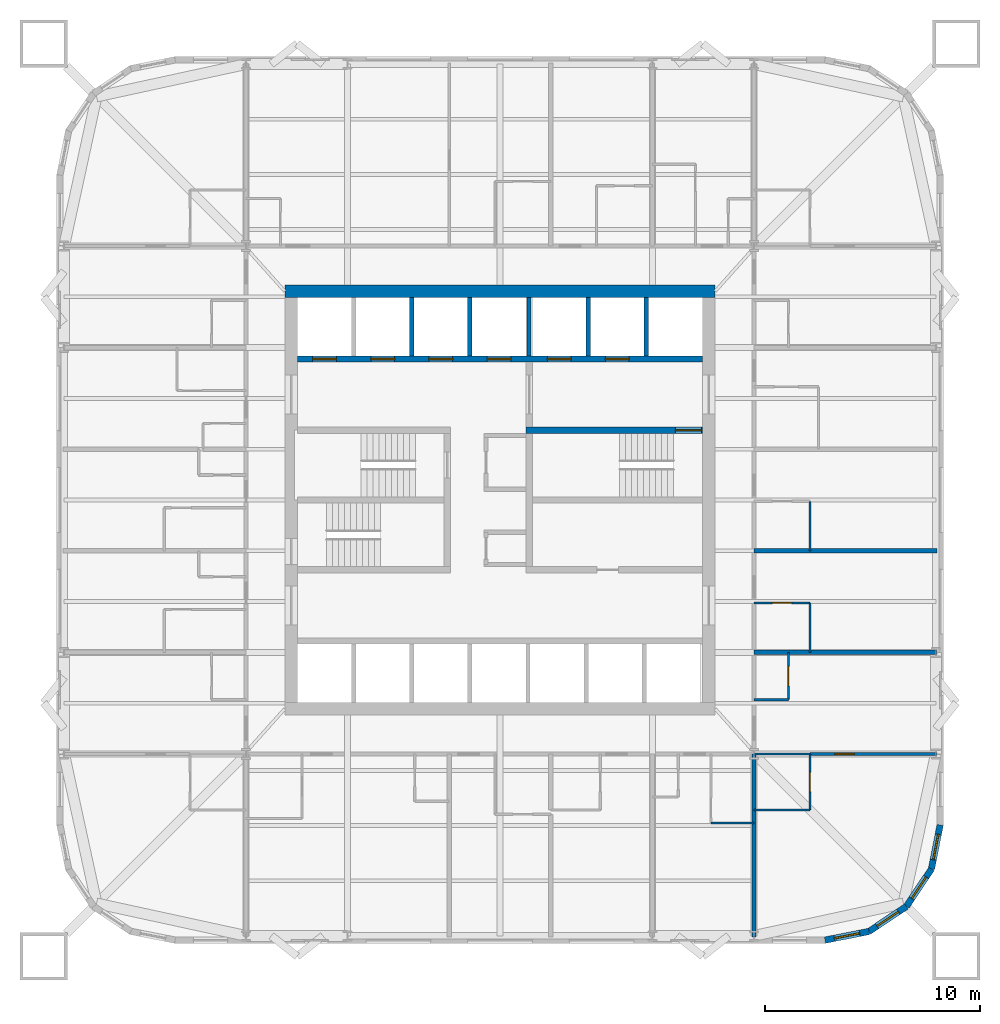
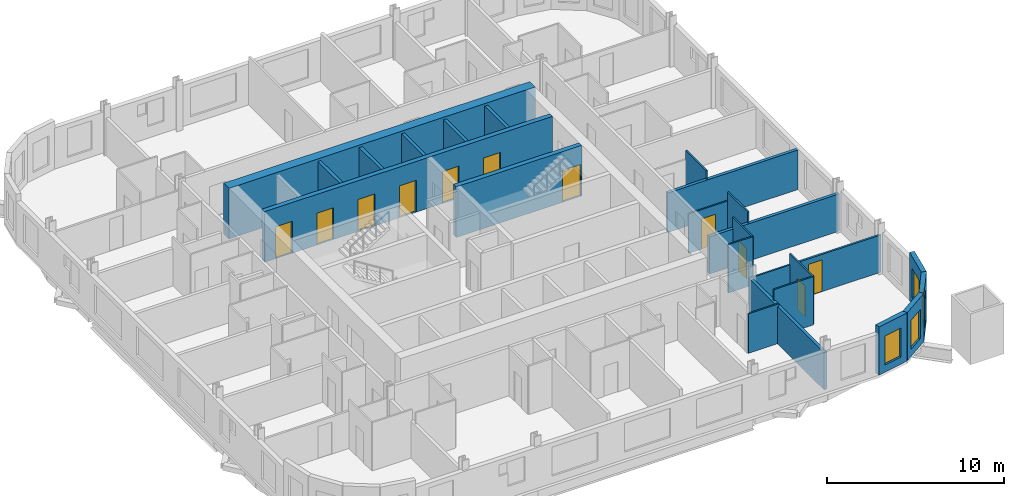
# One storey, part 6 of 10: 25 walls, 11 doors, 4 windows, 15 openings.
"""IFC4 building model written with IfcOpenShell, lengths in metres."""

from ifc_helpers import new_model, si_unit, direction, frame, frame_2d, origin, place, context, subcontext, project, spatial, rectangle, extrude, material, layer, layer_set, type_object, element, fill, save


model = new_model("IFC4")

# Units and contexts
model_context = context("Model", 3, precision=1e-05, world=origin(), true_north=direction((0.0, 1.0)))
body_context = subcontext(model_context, "Body", "Model", "MODEL_VIEW")
ifc_project = project(units=[si_unit("LENGTHUNIT", "METRE"), si_unit("AREAUNIT", "SQUARE_METRE"), si_unit("VOLUMEUNIT", "CUBIC_METRE"), si_unit("PLANEANGLEUNIT", "RADIAN"), si_unit("MASSUNIT", "GRAM", prefix="KILO")], contexts=[model_context])

# Site, building, storey
site_placement = place(None, origin())
site = spatial("IfcSite", under=ifc_project, at=site_placement, CompositionType="ELEMENT")
building_placement = place(site_placement, origin())
building = spatial("IfcBuilding", under=site, at=building_placement, Name="Turquesa Mirador Hotel Tower", CompositionType="ELEMENT")
storey_placement = place(building_placement, frame((0.0, 0.0, 138.89990234375)))
storey = spatial("IfcBuildingStorey", under=building, at=storey_placement, Name="L37", CompositionType="ELEMENT", Elevation=138.89990234375)

# Walls
ifc_material_1 = material(Name="Gypsum board on steel studs", Category="steel")
ifc_layer_1 = layer(ifc_material_1, 0.10009765625)
ifc_layer_set_1 = layer_set([ifc_layer_1], Name="BATHROOM WALL 100")
wall_type_1 = type_object("IfcWallType", Name="BATHROOM WALL 100", PredefinedType="PARTITIONING", material=ifc_layer_set_1)
wall_1_placement = place(storey_placement, frame((66.800048828125, 33.199951171875, 0.0), z_axis=(0.0, 0.0, 1.0), x_axis=(1.0, 0.0, 0.0)))
element("IfcWall", 1, at=wall_1_placement, inside=storey, type_object=wall_type_1, Name="Partition L37 004", PredefinedType="PARTITIONING", context=body_context, shape_type="SweptSolid", body=[
    extrude(rectangle(XDim=2.599853515625, YDim=0.10009765625, at=frame_2d((1.2998046875, 0.0))), origin(), (0.0, 0.0, 1.0), 2.5732421875),
])
wall_2_placement = place(storey_placement, frame((66.800048828125, 30.60009765625, 0.0), z_axis=(0.0, 0.0, 1.0), x_axis=(1.0, 0.0, 0.0)))
element("IfcWall", 2, at=wall_2_placement, inside=storey, type_object=wall_type_1, Name="Partition L37 012", PredefinedType="PARTITIONING", context=body_context, shape_type="SweptSolid", body=[
    extrude(rectangle(XDim=2.599853515625, YDim=0.10009765625, at=frame_2d((1.2998046875, 0.0))), origin(), (0.0, 0.0, 1.0), 3.330078125),
])
wall_3_placement = place(storey_placement, frame((64.800048828125, 30.0, 0.0), z_axis=(0.0, 0.0, 1.0), x_axis=(1.0, 0.0, 0.0)))
element("IfcWall", 3, at=wall_3_placement, inside=storey, type_object=wall_type_1, Name="Partition L37 015", PredefinedType="PARTITIONING", context=body_context, shape_type="SweptSolid", body=[
    extrude(rectangle(XDim=2.0, YDim=0.10009765625, at=frame_2d((1.0, 0.0))), origin(), (0.0, 0.0, 1.0), 2.730712890625),
])

# Wall, opening, door
wall_4_placement = place(storey_placement, frame((66.800048828125, 40.219970703125, 0.0), z_axis=(0.0, 0.0, 1.0), x_axis=(1.0, 0.0, 0.0)))
wall_4 = element("IfcWall", 4, at=wall_4_placement, inside=storey, type_object=wall_type_1, Name="Partition L37 019", PredefinedType="PARTITIONING", context=body_context, shape_type="SweptSolid", body=[
    extrude(rectangle(XDim=2.599853515625, YDim=0.10009765625, at=frame_2d((1.2998046875, 0.0))), origin(), (0.0, 0.0, 1.0), 2.730712890625),
])
opening_1_placement = place(wall_4_placement, frame((0.85009765625, 0.0, 0.0)))
opening_1 = element("IfcOpeningElement", 5, at=opening_1_placement, cuts=wall_4, Name="Opening D02", PredefinedType="OPENING", context=body_context, shape_type="SweptSolid", body=[
    extrude(rectangle(XDim=0.89990234375, YDim=2.10009765625, at=frame_2d((0.449951171875, 1.050048828125))), frame((0.0, 0.06005859375, 0.0), z_axis=(0.0, -1.0, 0.0), x_axis=(1.0, 0.0, 0.0)), (0.0, 0.0, 1.0), 0.1201171875),
])
ifc_material_2 = material(Name="Timber veneered door", Category="wood")
door_type_1 = type_object("IfcDoorType", Name="DOOR 900X2100 EN-SUITE", OperationType="SINGLE_SWING_RIGHT", PredefinedType="DOOR", material=ifc_material_2)
door_1_placement = place(opening_1_placement, origin())
door_1 = element("IfcDoor", 6, at=door_1_placement, inside=storey, type_object=door_type_1, Name="Door 3708B", OperationType="SINGLE_SWING_RIGHT", OverallHeight=2.10009765625, OverallWidth=0.89990234375, PredefinedType="DOOR", context=body_context, shape_type="SweptSolid", body=[
    extrude(rectangle(XDim=0.89990234375, YDim=2.10009765625, at=frame_2d((0.449951171875, 1.050048828125))), frame((0.0, 0.02490234375, 0.0), z_axis=(0.0, -1.0, 0.0), x_axis=(1.0, 0.0, 0.0)), (0.0, 0.0, 1.0), 0.050048828125),
])
fill(opening_1, door_1)

# Wall
wall_5_placement = place(storey_placement, frame((66.800048828125, 35.719970703125, 0.0), z_axis=(0.0, 0.0, 1.0), x_axis=(1.0, 0.0, 0.0)))
element("IfcWall", 7, at=wall_5_placement, inside=storey, type_object=wall_type_1, Name="Partition L37 024", PredefinedType="PARTITIONING", context=body_context, shape_type="SweptSolid", body=[
    extrude(rectangle(XDim=1.599853515625, YDim=0.10009765625, at=frame_2d((0.7998046875, 0.0))), origin(), (0.0, 0.0, 1.0), 3.330078125),
])

# Wall, opening, door
wall_6_placement = place(storey_placement, frame((68.39990234375, 35.719970703125, 0.0), z_axis=(0.0, 0.0, 1.0), x_axis=(0.0, 1.0, 0.0)))
wall_6 = element("IfcWall", 8, at=wall_6_placement, inside=storey, type_object=wall_type_1, Name="Partition L37 072", PredefinedType="PARTITIONING", context=body_context, shape_type="SweptSolid", body=[
    extrude(rectangle(XDim=2.199951171875, YDim=0.10009765625, at=frame_2d((1.10009765625, 0.0))), origin(), (0.0, 0.0, 1.0), 3.330078125),
])
opening_2_placement = place(wall_6_placement, frame((0.64990234375, 0.0, 0.0)))
opening_2 = element("IfcOpeningElement", 9, at=opening_2_placement, cuts=wall_6, Name="Opening D06", PredefinedType="OPENING", context=body_context, shape_type="SweptSolid", body=[
    extrude(rectangle(XDim=0.89990234375, YDim=2.10009765625, at=frame_2d((0.449951171875, 1.050048828125))), frame((0.0, 0.06005859375, 0.0), z_axis=(0.0, -1.0, 0.0), x_axis=(1.0, 0.0, 0.0)), (0.0, 0.0, 1.0), 0.1201171875),
])
ifc_material_3 = material(Name="Laminate door", Category="wood")
door_type_2 = type_object("IfcDoorType", Name="DOOR 900X2100 WC", OperationType="SINGLE_SWING_LEFT", PredefinedType="DOOR", material=ifc_material_3)
door_2_placement = place(opening_2_placement, origin())
door_2 = element("IfcDoor", 10, at=door_2_placement, inside=storey, type_object=door_type_2, Name="Door 3717W", OperationType="SINGLE_SWING_LEFT", OverallHeight=2.10009765625, OverallWidth=0.89990234375, PredefinedType="DOOR", context=body_context, shape_type="SweptSolid", body=[
    extrude(rectangle(XDim=0.89990234375, YDim=2.10009765625, at=frame_2d((0.449951171875, 1.050048828125))), frame((0.0, 0.02490234375, 0.0), z_axis=(0.0, -1.0, 0.0), x_axis=(1.0, 0.0, 0.0)), (0.0, 0.0, 1.0), 0.050048828125),
])
fill(opening_2, door_2)

wall_7_placement = place(storey_placement, frame((69.39990234375, 30.60009765625, 0.0), z_axis=(0.0, 0.0, 1.0), x_axis=(0.0, 1.0, 0.0)))
wall_7 = element("IfcWall", 11, at=wall_7_placement, inside=storey, type_object=wall_type_1, Name="Partition L37 074", PredefinedType="PARTITIONING", context=body_context, shape_type="SweptSolid", body=[
    extrude(rectangle(XDim=2.599853515625, YDim=0.10009765625, at=frame_2d((1.2998046875, 0.0))), origin(), (0.0, 0.0, 1.0), 3.330078125),
])
opening_3_placement = place(wall_7_placement, frame((0.85009765625, 0.0, 0.0)))
opening_3 = element("IfcOpeningElement", 12, at=opening_3_placement, cuts=wall_7, Name="Opening D02", PredefinedType="OPENING", context=body_context, shape_type="SweptSolid", body=[
    extrude(rectangle(XDim=0.89990234375, YDim=2.10009765625, at=frame_2d((0.449951171875, 1.050048828125))), frame((0.0, 0.06005859375, 0.0), z_axis=(0.0, -1.0, 0.0), x_axis=(1.0, 0.0, 0.0)), (0.0, 0.0, 1.0), 0.1201171875),
])
door_3_placement = place(opening_3_placement, origin())
door_3 = element("IfcDoor", 13, at=door_3_placement, inside=storey, type_object=door_type_1, Name="Door 3717B", OperationType="SINGLE_SWING_RIGHT", OverallHeight=2.10009765625, OverallWidth=0.89990234375, PredefinedType="DOOR", context=body_context, shape_type="SweptSolid", body=[
    extrude(rectangle(XDim=0.89990234375, YDim=2.10009765625, at=frame_2d((0.449951171875, 1.050048828125))), frame((0.0, 0.02490234375, 0.0), z_axis=(0.0, -1.0, 0.0), x_axis=(1.0, 0.0, 0.0)), (0.0, 0.0, 1.0), 0.050048828125),
])
fill(opening_3, door_3)

# Walls
for number, where, z_axis, x_axis, name in (
    (14, (69.39990234375, 37.919921875, 0.0), (0.0, 0.0, 1.0), (0.0, 1.0, 0.0), "Partition L37 075"),
    (15, (69.39990234375, 42.639892578125, 0.0), (0.0, 0.0, 1.0), (0.0, 1.0, 0.0), "Partition L37 076"),
):
    element("IfcWall", number, at=place(storey_placement, frame(where, z_axis=z_axis, x_axis=x_axis)), inside=storey, type_object=wall_type_1, Name=name, PredefinedType="PARTITIONING", context=body_context, shape_type="SweptSolid", body=[
        extrude(rectangle(XDim=2.300048828125, YDim=0.10009765625, at=frame_2d((1.14990234375, 0.0))), origin(), (0.0, 0.0, 1.0), 3.330078125),
    ])

# Wall, openings, doors
ifc_material_4 = material(Name="Concrete C50/60", Category="concrete")
ifc_layer_2 = layer(ifc_material_4, 0.300048828125)
ifc_layer_set_2 = layer_set([ifc_layer_2], Name="CORE INNER WALL 300")
wall_type_2 = type_object("IfcWallType", Name="CORE INNER WALL 300", PredefinedType="SHEAR", material=ifc_layer_set_2)
wall_8_placement = place(storey_placement, frame((45.60009765625, 51.550048828125, 0.0), z_axis=(0.0, 0.0, 1.0), x_axis=(1.0, 0.0, 0.0)))
wall_8 = element("IfcWall", 16, at=wall_8_placement, inside=storey, type_object=wall_type_2, Name="Core wall NL", PredefinedType="SHEAR", context=body_context, shape_type="SweptSolid", body=[
    extrude(rectangle(XDim=18.7998046875, YDim=0.300048828125, at=frame_2d((9.39990234375, 0.0))), origin(), (0.0, 0.0, 1.0), 3.5),
])
opening_4_placement = place(wall_8_placement, frame((0.699951171875, 0.0, 0.0)))
opening_4 = element("IfcOpeningElement", 17, at=opening_4_placement, cuts=wall_8, Name="Opening LD", PredefinedType="OPENING", context=body_context, shape_type="SweptSolid", body=[
    extrude(rectangle(XDim=1.10009765625, YDim=2.199951171875, at=frame_2d((0.550048828125, 1.10009765625))), frame((0.0, 0.159912109375, 0.0), z_axis=(0.0, -1.0, 0.0), x_axis=(1.0, 0.0, 0.0)), (0.0, 0.0, 1.0), 0.320068359375),
])
opening_5_placement = place(wall_8_placement, frame((3.39990234375, 0.0, 0.0)))
opening_5 = element("IfcOpeningElement", 18, at=opening_5_placement, cuts=wall_8, Name="Opening LD", PredefinedType="OPENING", context=body_context, shape_type="SweptSolid", body=[
    extrude(rectangle(XDim=1.10009765625, YDim=2.199951171875, at=frame_2d((0.550048828125, 1.10009765625))), frame((0.0, 0.159912109375, 0.0), z_axis=(0.0, -1.0, 0.0), x_axis=(1.0, 0.0, 0.0)), (0.0, 0.0, 1.0), 0.320068359375),
])
opening_6_placement = place(wall_8_placement, frame((6.10009765625, 0.0, 0.0)))
opening_6 = element("IfcOpeningElement", 19, at=opening_6_placement, cuts=wall_8, Name="Opening LD", PredefinedType="OPENING", context=body_context, shape_type="SweptSolid", body=[
    extrude(rectangle(XDim=1.10009765625, YDim=2.199951171875, at=frame_2d((0.550048828125, 1.10009765625))), frame((0.0, 0.159912109375, 0.0), z_axis=(0.0, -1.0, 0.0), x_axis=(1.0, 0.0, 0.0)), (0.0, 0.0, 1.0), 0.320068359375),
])
opening_7_placement = place(wall_8_placement, frame((8.800048828125, 0.0, 0.0)))
opening_7 = element("IfcOpeningElement", 20, at=opening_7_placement, cuts=wall_8, Name="Opening LD", PredefinedType="OPENING", context=body_context, shape_type="SweptSolid", body=[
    extrude(rectangle(XDim=1.10009765625, YDim=2.199951171875, at=frame_2d((0.550048828125, 1.10009765625))), frame((0.0, 0.159912109375, 0.0), z_axis=(0.0, -1.0, 0.0), x_axis=(1.0, 0.0, 0.0)), (0.0, 0.0, 1.0), 0.320068359375),
])
opening_8_placement = place(wall_8_placement, frame((11.60009765625, 0.0, 0.0)))
opening_8 = element("IfcOpeningElement", 21, at=opening_8_placement, cuts=wall_8, Name="Opening LD", PredefinedType="OPENING", context=body_context, shape_type="SweptSolid", body=[
    extrude(rectangle(XDim=1.10009765625, YDim=2.199951171875, at=frame_2d((0.550048828125, 1.10009765625))), frame((0.0, 0.159912109375, 0.0), z_axis=(0.0, -1.0, 0.0), x_axis=(1.0, 0.0, 0.0)), (0.0, 0.0, 1.0), 0.320068359375),
])
opening_9_placement = place(wall_8_placement, frame((14.300048828125, 0.0, 0.0)))
opening_9 = element("IfcOpeningElement", 22, at=opening_9_placement, cuts=wall_8, Name="Opening LD", PredefinedType="OPENING", context=body_context, shape_type="SweptSolid", body=[
    extrude(rectangle(XDim=1.10009765625, YDim=2.199951171875, at=frame_2d((0.550048828125, 1.10009765625))), frame((0.0, 0.159912109375, 0.0), z_axis=(0.0, -1.0, 0.0), x_axis=(1.0, 0.0, 0.0)), (0.0, 0.0, 1.0), 0.320068359375),
])
ifc_material_5 = material(Name="Stainless steel lift landing door", Category="steel")
door_type_3 = type_object("IfcDoorType", Name="LIFT LANDING DOOR 1100X2200", OperationType="SLIDING_TO_LEFT", PredefinedType="DOOR", material=ifc_material_5)
door_4_placement = place(opening_4_placement, origin())
door_4 = element("IfcDoor", 23, at=door_4_placement, inside=storey, type_object=door_type_3, Name="Lift A1 landing door", OperationType="SLIDING_TO_LEFT", OverallHeight=2.199951171875, OverallWidth=1.10009765625, PredefinedType="DOOR", context=body_context, shape_type="SweptSolid", body=[
    extrude(rectangle(XDim=1.10009765625, YDim=2.199951171875, at=frame_2d((0.550048828125, 1.10009765625))), frame((0.0, 0.02490234375, 0.0), z_axis=(0.0, -1.0, 0.0), x_axis=(1.0, 0.0, 0.0)), (0.0, 0.0, 1.0), 0.050048828125),
])
fill(opening_4, door_4)
door_5_placement = place(opening_5_placement, origin())
door_5 = element("IfcDoor", 24, at=door_5_placement, inside=storey, type_object=door_type_3, Name="Lift A2 landing door", OperationType="SLIDING_TO_LEFT", OverallHeight=2.199951171875, OverallWidth=1.10009765625, PredefinedType="DOOR", context=body_context, shape_type="SweptSolid", body=[
    extrude(rectangle(XDim=1.10009765625, YDim=2.199951171875, at=frame_2d((0.550048828125, 1.10009765625))), frame((0.0, 0.02490234375, 0.0), z_axis=(0.0, -1.0, 0.0), x_axis=(1.0, 0.0, 0.0)), (0.0, 0.0, 1.0), 0.050048828125),
])
fill(opening_5, door_5)
door_6_placement = place(opening_6_placement, origin())
door_6 = element("IfcDoor", 25, at=door_6_placement, inside=storey, type_object=door_type_3, Name="Lift A3 landing door", OperationType="SLIDING_TO_LEFT", OverallHeight=2.199951171875, OverallWidth=1.10009765625, PredefinedType="DOOR", context=body_context, shape_type="SweptSolid", body=[
    extrude(rectangle(XDim=1.10009765625, YDim=2.199951171875, at=frame_2d((0.550048828125, 1.10009765625))), frame((0.0, 0.02490234375, 0.0), z_axis=(0.0, -1.0, 0.0), x_axis=(1.0, 0.0, 0.0)), (0.0, 0.0, 1.0), 0.050048828125),
])
fill(opening_6, door_6)
door_7_placement = place(opening_7_placement, origin())
door_7 = element("IfcDoor", 26, at=door_7_placement, inside=storey, type_object=door_type_3, Name="Lift A4 landing door", OperationType="SLIDING_TO_LEFT", OverallHeight=2.199951171875, OverallWidth=1.10009765625, PredefinedType="DOOR", context=body_context, shape_type="SweptSolid", body=[
    extrude(rectangle(XDim=1.10009765625, YDim=2.199951171875, at=frame_2d((0.550048828125, 1.10009765625))), frame((0.0, 0.02490234375, 0.0), z_axis=(0.0, -1.0, 0.0), x_axis=(1.0, 0.0, 0.0)), (0.0, 0.0, 1.0), 0.050048828125),
])
fill(opening_7, door_7)
door_8_placement = place(opening_8_placement, origin())
door_8 = element("IfcDoor", 27, at=door_8_placement, inside=storey, type_object=door_type_3, Name="Lift S1 landing door", OperationType="SLIDING_TO_LEFT", OverallHeight=2.199951171875, OverallWidth=1.10009765625, PredefinedType="DOOR", context=body_context, shape_type="SweptSolid", body=[
    extrude(rectangle(XDim=1.10009765625, YDim=2.199951171875, at=frame_2d((0.550048828125, 1.10009765625))), frame((0.0, 0.02490234375, 0.0), z_axis=(0.0, -1.0, 0.0), x_axis=(1.0, 0.0, 0.0)), (0.0, 0.0, 1.0), 0.050048828125),
])
fill(opening_8, door_8)
door_9_placement = place(opening_9_placement, origin())
door_9 = element("IfcDoor", 28, at=door_9_placement, inside=storey, type_object=door_type_3, Name="Lift S2 landing door", OperationType="SLIDING_TO_LEFT", OverallHeight=2.199951171875, OverallWidth=1.10009765625, PredefinedType="DOOR", context=body_context, shape_type="SweptSolid", body=[
    extrude(rectangle(XDim=1.10009765625, YDim=2.199951171875, at=frame_2d((0.550048828125, 1.10009765625))), frame((0.0, 0.02490234375, 0.0), z_axis=(0.0, -1.0, 0.0), x_axis=(1.0, 0.0, 0.0)), (0.0, 0.0, 1.0), 0.050048828125),
])
fill(opening_9, door_9)

# Wall, opening, door
wall_9_placement = place(storey_placement, frame((56.199951171875, 48.25, 0.0), z_axis=(0.0, 0.0, 1.0), x_axis=(1.0, 0.0, 0.0)))
wall_9 = element("IfcWall", 29, at=wall_9_placement, inside=storey, type_object=wall_type_2, Name="Core wall MN-E", PredefinedType="SHEAR", context=body_context, shape_type="SweptSolid", body=[
    extrude(rectangle(XDim=8.199951171875, YDim=0.300048828125, at=frame_2d((4.10009765625, 0.0))), origin(), (0.0, 0.0, 1.0), 3.5),
])
opening_10_placement = place(wall_9_placement, frame((6.949951171875, 0.0, 0.0)))
opening_10 = element("IfcOpeningElement", 30, at=opening_10_placement, cuts=wall_9, Name="Opening D03", PredefinedType="OPENING", context=body_context, shape_type="SweptSolid", body=[
    extrude(rectangle(XDim=1.199951171875, YDim=2.199951171875, at=frame_2d((0.60009765625, 1.10009765625))), frame((0.0, 0.159912109375, 0.0), z_axis=(0.0, -1.0, 0.0), x_axis=(1.0, 0.0, 0.0)), (0.0, 0.0, 1.0), 0.320068359375),
])
ifc_material_6 = material(Name="Steel fire door", Category="steel")
door_type_4 = type_object("IfcDoorType", Name="DOOR 1200X2200 STAIR", OperationType="SINGLE_SWING_LEFT", PredefinedType="DOOR", material=ifc_material_6)
door_10_placement = place(opening_10_placement, origin())
door_10 = element("IfcDoor", 31, at=door_10_placement, inside=storey, type_object=door_type_4, Name="Stair ST3 door", OperationType="SINGLE_SWING_LEFT", OverallHeight=2.199951171875, OverallWidth=1.199951171875, PredefinedType="DOOR", context=body_context, shape_type="SweptSolid", body=[
    extrude(rectangle(XDim=1.199951171875, YDim=2.199951171875, at=frame_2d((0.60009765625, 1.10009765625))), frame((0.0, 0.02490234375, 0.0), z_axis=(0.0, -1.0, 0.0), x_axis=(1.0, 0.0, 0.0)), (0.0, 0.0, 1.0), 0.050048828125),
])
fill(opening_10, door_10)

# Wall
ifc_material_7 = material(Name="Concrete C50/60", Category="concrete")
ifc_layer_3 = layer(ifc_material_7, 0.60009765625)
ifc_layer_set_3 = layer_set([ifc_layer_3], Name="CORE WALL 600")
wall_type_3 = type_object("IfcWallType", Name="CORE WALL 600", PredefinedType="SHEAR", material=ifc_layer_set_3)
wall_10_placement = place(storey_placement, frame((45.0, 54.699951171875, 0.0), z_axis=(0.0, 0.0, 1.0), x_axis=(1.0, 0.0, 0.0)))
element("IfcWall", 32, at=wall_10_placement, inside=storey, type_object=wall_type_3, Name="Core wall N", PredefinedType="SHEAR", context=body_context, shape_type="SweptSolid", body=[
    extrude(rectangle(XDim=20.0, YDim=0.60009765625, at=frame_2d((10.0, 0.0))), origin(), (0.0, 0.0, 1.0), 3.5),
])

# Wall, opening, window
ifc_material_8 = material(Name="Limestone cladding on concrete block", Category="masonry")
ifc_layer_4 = layer(ifc_material_8, 0.300048828125)
ifc_layer_set_4 = layer_set([ifc_layer_4], Name="FACADE WALL 300 STONE SCREEN")
wall_type_4 = type_object("IfcWallType", Name="FACADE WALL 300 STONE SCREEN", PredefinedType="SOLIDWALL", material=ifc_layer_set_4)
wall_11_placement = place(storey_placement, frame((70.10009765625, 24.550048828125, 0.0), z_axis=(0.0, 0.0, 1.0), x_axis=(0.980787050784, 0.195081421501, 0.0)))
wall_11 = element("IfcWall", 33, at=wall_11_placement, inside=storey, type_object=wall_type_4, Name="Facade wall L37 00", PredefinedType="SOLIDWALL", context=body_context, shape_type="SweptSolid", body=[
    extrude(rectangle(XDim=2.08740234375, YDim=0.300048828125, at=frame_2d((1.043701171875, 0.0))), origin(), (0.0, 0.0, 1.0), 3.330078125),
])
opening_11_placement = place(wall_11_placement, frame((0.443603515625, 0.0, 0.5)))
opening_11 = element("IfcOpeningElement", 34, at=opening_11_placement, cuts=wall_11, Name="Opening WN4", PredefinedType="OPENING", context=body_context, shape_type="SweptSolid", body=[
    extrude(rectangle(XDim=1.199951171875, YDim=2.0, at=frame_2d((0.60009765625, 1.0))), frame((0.0, 0.159912109375, 0.0), z_axis=(0.0, -1.0, 0.0), x_axis=(1.0, 0.0, 0.0)), (0.0, 0.0, 1.0), 0.320068359375),
])
ifc_material_9 = material(Name="Ceramic-fritted laminated glass", Category="glass")
window_type = type_object("IfcWindowType", Name="FRITTED CORNER WINDOW 1200X2000", PartitioningType="DOUBLE_PANEL_HORIZONTAL", PredefinedType="WINDOW", material=ifc_material_9)
window_1_placement = place(opening_11_placement, origin())
window_1 = element("IfcWindow", 35, at=window_1_placement, inside=storey, type_object=window_type, Name="Window L37", OverallHeight=2.0, OverallWidth=1.199951171875, PartitioningType="SINGLE_PANEL", PredefinedType="WINDOW", context=body_context, shape_type="SweptSolid", body=[
    extrude(rectangle(XDim=1.199951171875, YDim=2.0, at=frame_2d((0.60009765625, 1.0))), frame((0.0, 0.030029296875, 0.0), z_axis=(0.0, -1.0, 0.0), x_axis=(1.0, 0.0, 0.0)), (0.0, 0.0, 1.0), 0.06005859375),
])
fill(opening_11, window_1)

wall_12_placement = place(storey_placement, frame((72.1474609375, 24.957275390625, 0.0), z_axis=(0.0, 0.0, 1.0), x_axis=(0.831474039234, 0.555563607591, 0.0)))
wall_12 = element("IfcWall", 36, at=wall_12_placement, inside=storey, type_object=wall_type_4, Name="Facade wall L37 01", PredefinedType="SOLIDWALL", context=body_context, shape_type="SweptSolid", body=[
    extrude(rectangle(XDim=2.08740234375, YDim=0.300048828125, at=frame_2d((1.043701171875, 0.0))), origin(), (0.0, 0.0, 1.0), 3.330078125),
])
opening_12_placement = place(wall_12_placement, frame((0.443603515625, 0.0, 0.5)))
opening_12 = element("IfcOpeningElement", 37, at=opening_12_placement, cuts=wall_12, Name="Opening WN4", PredefinedType="OPENING", context=body_context, shape_type="SweptSolid", body=[
    extrude(rectangle(XDim=1.199951171875, YDim=2.0, at=frame_2d((0.60009765625, 1.0))), frame((0.0, 0.159912109375, 0.0), z_axis=(0.0, -1.0, 0.0), x_axis=(1.0, 0.0, 0.0)), (0.0, 0.0, 1.0), 0.320068359375),
])
window_2_placement = place(opening_12_placement, origin())
window_2 = element("IfcWindow", 38, at=window_2_placement, inside=storey, type_object=window_type, Name="Window L37", OverallHeight=2.0, OverallWidth=1.199951171875, PartitioningType="SINGLE_PANEL", PredefinedType="WINDOW", context=body_context, shape_type="SweptSolid", body=[
    extrude(rectangle(XDim=1.199951171875, YDim=2.0, at=frame_2d((0.60009765625, 1.0))), frame((0.0, 0.030029296875, 0.0), z_axis=(0.0, -1.0, 0.0), x_axis=(1.0, 0.0, 0.0)), (0.0, 0.0, 1.0), 0.06005859375),
])
fill(opening_12, window_2)

wall_13_placement = place(storey_placement, frame((73.883056640625, 26.116943359375, 0.0), z_axis=(0.0, 0.0, 1.0), x_axis=(0.555563607591, 0.831474039234, 0.0)))
wall_13 = element("IfcWall", 39, at=wall_13_placement, inside=storey, type_object=wall_type_4, Name="Facade wall L37 02", PredefinedType="SOLIDWALL", context=body_context, shape_type="SweptSolid", body=[
    extrude(rectangle(XDim=2.08740234375, YDim=0.300048828125, at=frame_2d((1.043701171875, 0.0))), origin(), (0.0, 0.0, 1.0), 3.330078125),
])
opening_13_placement = place(wall_13_placement, frame((0.443603515625, 0.0, 0.5)))
opening_13 = element("IfcOpeningElement", 40, at=opening_13_placement, cuts=wall_13, Name="Opening WN4", PredefinedType="OPENING", context=body_context, shape_type="SweptSolid", body=[
    extrude(rectangle(XDim=1.199951171875, YDim=2.0, at=frame_2d((0.60009765625, 1.0))), frame((0.0, 0.159912109375, 0.0), z_axis=(0.0, -1.0, 0.0), x_axis=(1.0, 0.0, 0.0)), (0.0, 0.0, 1.0), 0.320068359375),
])
window_3_placement = place(opening_13_placement, origin())
window_3 = element("IfcWindow", 41, at=window_3_placement, inside=storey, type_object=window_type, Name="Window L37", OverallHeight=2.0, OverallWidth=1.199951171875, PartitioningType="SINGLE_PANEL", PredefinedType="WINDOW", context=body_context, shape_type="SweptSolid", body=[
    extrude(rectangle(XDim=1.199951171875, YDim=2.0, at=frame_2d((0.60009765625, 1.0))), frame((0.0, 0.030029296875, 0.0), z_axis=(0.0, -1.0, 0.0), x_axis=(1.0, 0.0, 0.0)), (0.0, 0.0, 1.0), 0.06005859375),
])
fill(opening_13, window_3)

wall_14_placement = place(storey_placement, frame((75.042724609375, 27.8525390625, 0.0), z_axis=(0.0, 0.0, 1.0), x_axis=(0.195081421501, 0.980787050784, 0.0)))
wall_14 = element("IfcWall", 42, at=wall_14_placement, inside=storey, type_object=wall_type_4, Name="Facade wall L37 03", PredefinedType="SOLIDWALL", context=body_context, shape_type="SweptSolid", body=[
    extrude(rectangle(XDim=2.08740234375, YDim=0.300048828125, at=frame_2d((1.043701171875, 0.0))), origin(), (0.0, 0.0, 1.0), 3.330078125),
])
opening_14_placement = place(wall_14_placement, frame((0.443603515625, 0.0, 0.5)))
opening_14 = element("IfcOpeningElement", 43, at=opening_14_placement, cuts=wall_14, Name="Opening WN4", PredefinedType="OPENING", context=body_context, shape_type="SweptSolid", body=[
    extrude(rectangle(XDim=1.199951171875, YDim=2.0, at=frame_2d((0.60009765625, 1.0))), frame((0.0, 0.159912109375, 0.0), z_axis=(0.0, -1.0, 0.0), x_axis=(1.0, 0.0, 0.0)), (0.0, 0.0, 1.0), 0.320068359375),
])
window_4_placement = place(opening_14_placement, origin())
window_4 = element("IfcWindow", 44, at=window_4_placement, inside=storey, type_object=window_type, Name="Window L37", OverallHeight=2.0, OverallWidth=1.199951171875, PartitioningType="SINGLE_PANEL", PredefinedType="WINDOW", context=body_context, shape_type="SweptSolid", body=[
    extrude(rectangle(XDim=1.199951171875, YDim=2.0, at=frame_2d((0.60009765625, 1.0))), frame((0.0, 0.030029296875, 0.0), z_axis=(0.0, -1.0, 0.0), x_axis=(1.0, 0.0, 0.0)), (0.0, 0.0, 1.0), 0.06005859375),
])
fill(opening_14, window_4)

# Walls
ifc_material_10 = material(Name="Fire-rated gypsum shaft wall on steel studs", Category="steel")
ifc_layer_5 = layer(ifc_material_10, 0.199951171875)
ifc_layer_set_5 = layer_set([ifc_layer_5], Name="LIFT SHAFT DIVIDER 200")
wall_type_5 = type_object("IfcWallType", Name="LIFT SHAFT DIVIDER 200", PredefinedType="PARTITIONING", material=ifc_layer_set_5)
for number, where, z_axis, x_axis, name in (
    (45, (50.89990234375, 51.699951171875, 0.0), (0.0, 0.0, 1.0), (0.0, 1.0, 0.0), "Lift shaft divider"),
    (46, (53.60009765625, 51.699951171875, 0.0), (0.0, 0.0, 1.0), (0.0, 1.0, 0.0), "Lift shaft divider"),
    (47, (59.10009765625, 51.699951171875, 0.0), (0.0, 0.0, 1.0), (0.0, 1.0, 0.0), "Lift shaft divider"),
    (48, (61.800048828125, 51.699951171875, 0.0), (0.0, 0.0, 1.0), (0.0, 1.0, 0.0), "Lift shaft divider"),
    (49, (56.35009765625, 51.699951171875, 0.0), (0.0, 0.0, 1.0), (0.0, 1.0, 0.0), "Lift shaft divider"),
):
    element("IfcWall", number, at=place(storey_placement, frame(where, z_axis=z_axis, x_axis=x_axis)), inside=storey, type_object=wall_type_5, Name=name, PredefinedType="PARTITIONING", context=body_context, shape_type="SweptSolid", body=[
        extrude(rectangle(XDim=2.699951171875, YDim=0.199951171875, at=frame_2d((1.35009765625, 0.0))), origin(), (0.0, 0.0, 1.0), 3.330078125),
    ])
ifc_material_11 = material(Name="Fire-rated gypsum board on steel studs", Category="steel")
ifc_layer_6 = layer(ifc_material_11, 0.199951171875)
ifc_layer_set_6 = layer_set([ifc_layer_6], Name="PARTY WALL 200")
wall_type_6 = type_object("IfcWallType", Name="PARTY WALL 200", PredefinedType="PARTITIONING", material=ifc_layer_set_6)
wall_15_placement = place(storey_placement, frame((66.800048828125, 42.639892578125, 0.0), z_axis=(0.0, 0.0, 1.0), x_axis=(1.0, 0.0, 0.0)))
element("IfcWall", 50, at=wall_15_placement, inside=storey, type_object=wall_type_6, Name="Partition L37 017", PredefinedType="PARTITIONING", context=body_context, shape_type="SweptSolid", body=[
    extrude(rectangle(XDim=8.5, YDim=0.199951171875, at=frame_2d((4.25, 0.0))), origin(), (0.0, 0.0, 1.0), 2.730712890625),
])
for number, where, z_axis, x_axis, name in (
    (51, (66.800048828125, 37.919921875, 0.0), (0.0, 0.0, 1.0), (1.0, 0.0, 0.0), "Partition L37 022"),
    (52, (66.800048828125, 24.699951171875, 0.0), (0.0, 0.0, 1.0), (0.0, 1.0, 0.0), "Partition L37 070"),
):
    element("IfcWall", number, at=place(storey_placement, frame(where, z_axis=z_axis, x_axis=x_axis)), inside=storey, type_object=wall_type_6, Name=name, PredefinedType="PARTITIONING", context=body_context, shape_type="SweptSolid", body=[
        extrude(rectangle(XDim=8.5, YDim=0.199951171875, at=frame_2d((4.25, 0.0))), origin(), (0.0, 0.0, 1.0), 2.5732421875),
    ])

# Wall, opening, door
ifc_material_12 = material(Name="Acoustic gypsum board on steel studs", Category="steel")
ifc_layer_7 = layer(ifc_material_12, 0.125)
ifc_layer_set_7 = layer_set([ifc_layer_7], Name="SUITE PARTITION 125")
wall_type_7 = type_object("IfcWallType", Name="SUITE PARTITION 125", PredefinedType="PARTITIONING", material=ifc_layer_set_7)
wall_16_placement = place(storey_placement, frame((69.39990234375, 33.199951171875, 0.0), z_axis=(0.0, 0.0, 1.0), x_axis=(1.0, 0.0, 0.0)))
wall_16 = element("IfcWall", 53, at=wall_16_placement, inside=storey, type_object=wall_type_7, Name="Partition L37 007", PredefinedType="PARTITIONING", context=body_context, shape_type="SweptSolid", body=[
    extrude(rectangle(XDim=5.900146484375, YDim=0.125, at=frame_2d((2.9501953125, 0.0))), origin(), (0.0, 0.0, 1.0), 2.5732421875),
])
opening_15_placement = place(wall_16_placement, frame((1.14990234375, 0.0, 0.0)))
opening_15 = element("IfcOpeningElement", 54, at=opening_15_placement, cuts=wall_16, Name="Opening D17", PredefinedType="OPENING", context=body_context, shape_type="SweptSolid", body=[
    extrude(rectangle(XDim=0.89990234375, YDim=2.199951171875, at=frame_2d((0.449951171875, 1.10009765625))), frame((0.0, 0.072509765625, 0.0), z_axis=(0.0, -1.0, 0.0), x_axis=(1.0, 0.0, 0.0)), (0.0, 0.0, 1.0), 0.14501953125),
])
ifc_material_13 = material(Name="Timber veneered door", Category="wood")
door_type_5 = type_object("IfcDoorType", Name="DOOR 900X2200 SUITE INTERNAL", OperationType="SINGLE_SWING_LEFT", PredefinedType="DOOR", material=ifc_material_13)
door_11_placement = place(opening_15_placement, origin())
door_11 = element("IfcDoor", 55, at=door_11_placement, inside=storey, type_object=door_type_5, Name="Door 3717R", OperationType="SINGLE_SWING_LEFT", OverallHeight=2.199951171875, OverallWidth=0.89990234375, PredefinedType="DOOR", context=body_context, shape_type="SweptSolid", body=[
    extrude(rectangle(XDim=0.89990234375, YDim=2.199951171875, at=frame_2d((0.449951171875, 1.10009765625))), frame((0.0, 0.02490234375, 0.0), z_axis=(0.0, -1.0, 0.0), x_axis=(1.0, 0.0, 0.0)), (0.0, 0.0, 1.0), 0.050048828125),
])
fill(opening_15, door_11)

save(model, "model.ifc")
